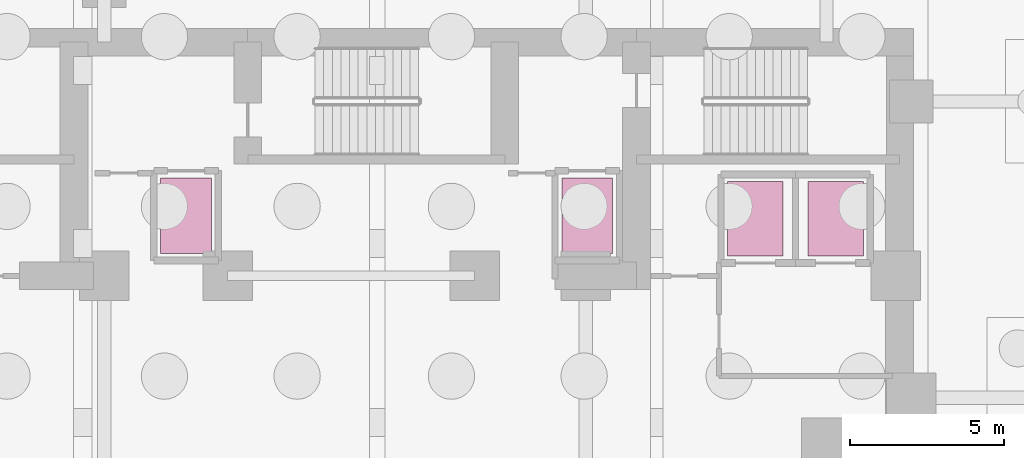
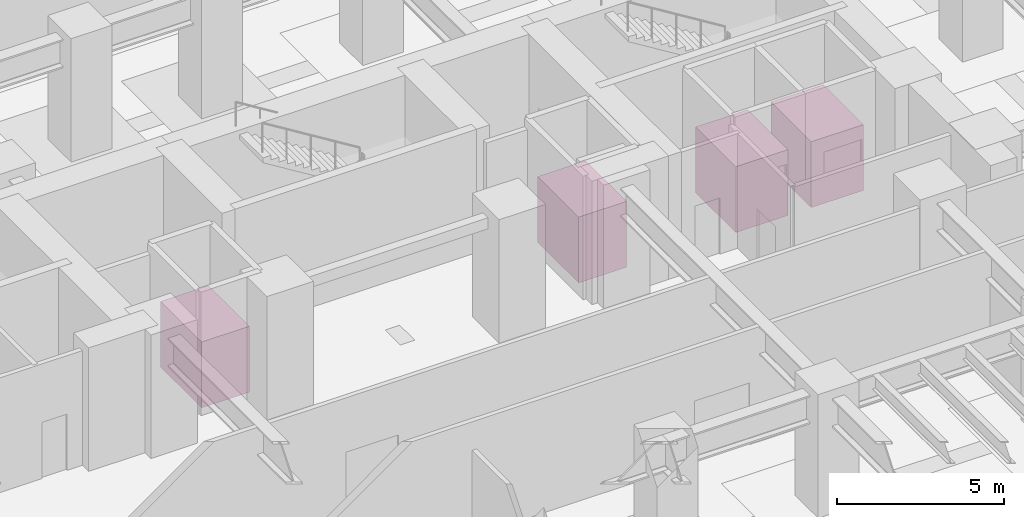
# One storey, part 13 of 13: 4 transport elements.
"""IFC4 building model written with IfcOpenShell, lengths in metres."""

from ifc_helpers import new_model, si_unit, direction, frame, origin, origin_2d, place, context, subcontext, project, spatial, rectangle, extrude, material, type_object, element, save


model = new_model("IFC4")

# Units and contexts
model_context = context("Model", 3, precision=1e-05, world=origin(), true_north=direction((0.0, 1.0)))
body_context = subcontext(model_context, "Body", "Model", "MODEL_VIEW")
ifc_project = project(units=[si_unit("LENGTHUNIT", "METRE"), si_unit("AREAUNIT", "SQUARE_METRE"), si_unit("VOLUMEUNIT", "CUBIC_METRE"), si_unit("PLANEANGLEUNIT", "RADIAN"), si_unit("MASSUNIT", "GRAM", prefix="KILO")], contexts=[model_context])

# Site, building, storey
site_placement = place(None, origin())
site = spatial("IfcSite", under=ifc_project, at=site_placement, CompositionType="ELEMENT")
building_placement = place(site_placement, origin())
building = spatial("IfcBuilding", under=site, at=building_placement, Name="Kestravale Grand Hotel", CompositionType="ELEMENT")
storey_placement = place(building_placement, frame((0.0, 0.0, -9.0)))
storey = spatial("IfcBuildingStorey", under=building, at=storey_placement, Name="B2", CompositionType="ELEMENT", Elevation=-9.0)

# Transport elements
ifc_material_1 = material(Name="Stainless steel and champagne-bronze elevator cab", Category="steel")
transport_element_type_1 = type_object("IfcTransportElementType", Name="LFT-FSAE-STR", PredefinedType="ELEVATOR", material=ifc_material_1)
for number, where, z_axis, x_axis, name in (
    (1, (33.85009765625, 34.699951171875, 0.0), (0.0, 0.0, 1.0), (1.0, 0.0, 0.0), "Elevator FL-1"),
    (2, (46.85009765625, 34.699951171875, 0.0), (0.0, 0.0, 1.0), (1.0, 0.0, 0.0), "Elevator FL-2"),
):
    element("IfcTransportElement", number, at=place(storey_placement, frame(where, z_axis=z_axis, x_axis=x_axis)), inside=storey, type_object=transport_element_type_1, Name=name, PredefinedType="ELEVATOR", context=body_context, shape_type="SweptSolid", body=[
        extrude(rectangle(XDim=1.64990234375, YDim=2.449951171875, at=origin_2d()), origin(), (0.0, 0.0, 1.0), 2.39990234375),
    ])
ifc_material_2 = material(Name="Stainless steel and champagne-bronze elevator cab", Category="steel")
transport_element_type_2 = type_object("IfcTransportElementType", Name="LFT-SVC-GDS", PredefinedType="ELEVATOR", material=ifc_material_2)
for number, where, z_axis, x_axis, name in (
    (3, (52.300048828125, 34.60009765625, 0.0), (0.0, 0.0, 1.0), (1.0, 0.0, 0.0), "Elevator SL-1"),
    (4, (54.89990234375, 34.60009765625, 0.0), (0.0, 0.0, 1.0), (1.0, 0.0, 0.0), "Elevator SL-2"),
):
    element("IfcTransportElement", number, at=place(storey_placement, frame(where, z_axis=z_axis, x_axis=x_axis)), inside=storey, type_object=transport_element_type_2, Name=name, PredefinedType="ELEVATOR", context=body_context, shape_type="SweptSolid", body=[
        extrude(rectangle(XDim=1.800048828125, YDim=2.39990234375, at=origin_2d()), origin(), (0.0, 0.0, 1.0), 2.39990234375),
    ])

save(model, "model.ifc")
